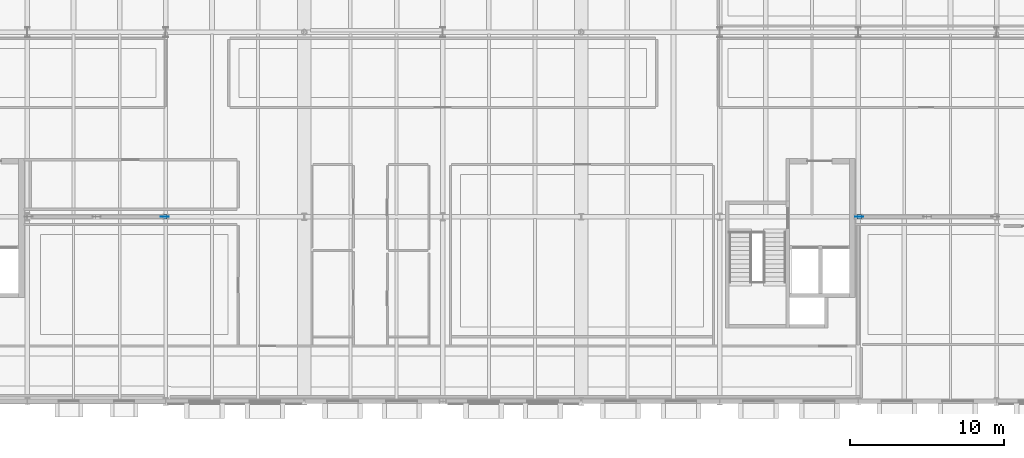
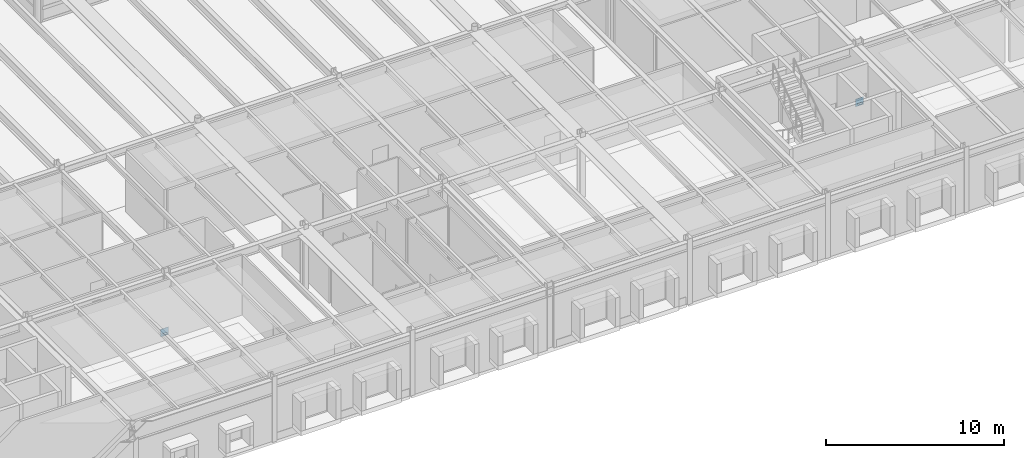
# One storey, part 104 of 127: 4 plates.
"""IFC4 building model written with IfcOpenShell, lengths in metres."""

import ifcopenshell
import ifcopenshell.guid

model = None  # the IFC model being written
_history = None  # IfcOwnerHistory: only IFC2X3 demands one
_inside = {}  # id of a spatial element -> (the spatial element, [elements in it])
_under = {}  # id of a project, library or spatial element -> (it, [spatial elements below it])
_declared = {}  # id of a project -> (the project, [libraries it declares])
_typed = {}  # id of a type object -> (the type object, [elements of that type])
_made_of = {}  # id of a material, layer set ... -> (it, [elements and type objects made of it])


def new_model(schema):
    """Start an empty IFC model of exactly this schema.

    Asked for "IFC4X3", IfcOpenShell would pick the latest addendum, in which some entities
    have other attributes; the version numbers below select the first issue.
    IFC2X3 requires an IfcOwnerHistory on every rooted entity: one is made here for all.
    """
    global model, _history
    if schema == "IFC4X3":
        model = ifcopenshell.file(schema_version=(4, 3, 0, 0))
    else:
        model = ifcopenshell.file(schema=schema)
    _inside.clear()
    _under.clear()
    _declared.clear()
    _typed.clear()
    _made_of.clear()
    _history = None
    if model.schema == "IFC2X3":
        org = make("IfcOrganization", Name="unknown")
        user = make(
            "IfcPersonAndOrganization",
            ThePerson=make("IfcPerson", FamilyName="unknown"),
            TheOrganization=org,
        )
        app = make(
            "IfcApplication",
            ApplicationDeveloper=org,
            Version="unknown",
            ApplicationFullName="unknown",
            ApplicationIdentifier="unknown",
        )
        _history = make(
            "IfcOwnerHistory",
            OwningUser=user,
            OwningApplication=app,
            ChangeAction="ADDED",
            CreationDate=0,
        )
    return model


def make(cls, **values):
    """One entity of the class cls with the attributes given. An attribute that is None is left unset."""
    return model.create_entity(
        cls, **{name: value for name, value in values.items() if value is not None}
    )


def rooted(cls, **values):
    """An entity with a GlobalId (a new one), such as an element, a storey or a relation."""
    return make(cls, GlobalId=ifcopenshell.guid.new(), OwnerHistory=_history, **values)


def si_unit(unit_type, name, prefix=None):
    """IfcSIUnit, for example si_unit("LENGTHUNIT", "METRE", prefix="MILLI")."""
    return make("IfcSIUnit", UnitType=unit_type, Prefix=prefix, Name=name)


def assignment(units):
    """IfcUnitAssignment: the units of a project."""
    return None if units is None else make("IfcUnitAssignment", Units=units)


def point(xyz):
    """IfcCartesianPoint."""
    return None if xyz is None else make("IfcCartesianPoint", Coordinates=xyz)


def direction(xyz):
    """IfcDirection."""
    return None if xyz is None else make("IfcDirection", DirectionRatios=xyz)


def frame(location, z_axis=None, x_axis=None):
    """IfcAxis2Placement3D, a coordinate frame: its origin and axes. An axis left out is left unset."""
    return make(
        "IfcAxis2Placement3D",
        Location=point(location),
        Axis=direction(z_axis),
        RefDirection=direction(x_axis),
    )


def frame_2d(location, x_axis=None):
    """IfcAxis2Placement2D, a coordinate frame in the plane: its origin and x axis."""
    return make(
        "IfcAxis2Placement2D", Location=point(location), RefDirection=direction(x_axis)
    )


def origin():
    """The frame at (0, 0, 0) with its axes left unset."""
    return frame((0.0, 0.0, 0.0))


def origin_2d():
    """The frame at (0, 0) in the plane with its x axis left unset."""
    return frame_2d((0.0, 0.0))


def place(relative_to, where):
    """IfcLocalPlacement: puts the frame where relative to a parent placement (None: the world)."""
    return make(
        "IfcLocalPlacement", PlacementRelTo=relative_to, RelativePlacement=where
    )


def context(
    kind, dimensions, precision=None, world=None, true_north=None, identifier=None
):
    """IfcGeometricRepresentationContext, for example the 3D "Model" context."""
    return make(
        "IfcGeometricRepresentationContext",
        ContextIdentifier=identifier,
        ContextType=kind,
        CoordinateSpaceDimension=dimensions,
        Precision=precision,
        WorldCoordinateSystem=world,
        TrueNorth=true_north,
    )


def subcontext(parent, identifier, kind, view, scale=None):
    """IfcGeometricRepresentationSubContext, for example "Body" below "Model"."""
    return make(
        "IfcGeometricRepresentationSubContext",
        ContextIdentifier=identifier,
        ContextType=kind,
        ParentContext=parent,
        TargetScale=scale,
        TargetView=view,
    )


def project(units=None, contexts=None):
    """IfcProject with its units and contexts."""
    return rooted(
        "IfcProject",
        Name="project",
        RepresentationContexts=contexts,
        UnitsInContext=assignment(units),
    )


def spatial(cls, under=None, at=None, **own):
    """A site, building, storey or space (cls), placed at a placement, below another one or the project."""
    s = rooted(cls, ObjectPlacement=at, **own)
    if under is not None:
        _under.setdefault(under.id(), (under, []))[1].append(s)
    return s


def profile(cls, at=None, kind="AREA", **sizes):
    """A parametric profile (cls). Its sizes go by their IFC names, for example OverallWidth=200.0."""
    return make(cls, ProfileType=kind, Position=at, **sizes)


def rectangle(**sizes):
    """IfcRectangleProfileDef."""
    return profile("IfcRectangleProfileDef", **sizes)


def extrude(swept, where, along, depth):
    """IfcExtrudedAreaSolid: the profile swept, set in the frame where, extruded along a direction by depth."""
    return make(
        "IfcExtrudedAreaSolid",
        SweptArea=swept,
        Position=where,
        ExtrudedDirection=direction(along),
        Depth=depth,
    )


def shape(context_of_items, identifier, shape_type, items):
    """IfcShapeRepresentation: the items that make up one representation, for example the "Body"."""
    return make(
        "IfcShapeRepresentation",
        ContextOfItems=context_of_items,
        RepresentationIdentifier=identifier,
        RepresentationType=shape_type,
        Items=items,
    )


def material(Name=None, Category=None):
    """IfcMaterial."""
    return make("IfcMaterial", Name=Name, Category=Category)


def layer(
    of_material, thickness, ventilated=None, Name=None, Category=None, Priority=None
):
    """IfcMaterialLayer: one layer of a wall or slab, of a material (None: an air gap)."""
    return make(
        "IfcMaterialLayer",
        Material=of_material,
        LayerThickness=thickness,
        IsVentilated=ventilated,
        Name=Name,
        Category=Category,
        Priority=Priority,
    )


def layer_set(layers, Name=None):
    """IfcMaterialLayerSet."""
    return make("IfcMaterialLayerSet", MaterialLayers=layers, LayerSetName=Name)


def made_of(thing, what):
    """Note that an element or type object is made of a material, layer set ...; save() writes the relation."""
    if what is not None:
        _made_of.setdefault(what.id(), (what, []))[1].append(thing)
    return thing


def type_object(cls, material=None, **own):
    """A type object (cls), such as IfcWallType, which elements share."""
    return made_of(rooted(cls, **own), material)


def element(
    cls,
    number,
    at=None,
    inside=None,
    cuts=None,
    type_object=None,
    material=None,
    context=None,
    identifier="Body",
    shape_type=None,
    held_by="IfcProductDefinitionShape",
    body=None,
    shapes=None,
    **own,
):
    """One element of the class cls, such as IfcWall. Its Tag is "e" and its number.

    at: its placement. inside: the storey or other place that contains it. cuts: it is an
    opening in that element (IfcRelVoidsElement). A single representation is given by context,
    identifier, shape_type and body (its items); several are given by shapes. held_by: the class
    of the entity that holds the representations. save() writes the other relations.
    """
    e = rooted(cls, Tag="e%d" % number, ObjectPlacement=at, **own)
    if body is not None:
        shapes = [shape(context, identifier, shape_type, body)]
    if shapes is not None:
        e.Representation = make(held_by, Representations=shapes)
    if inside is not None:
        _inside.setdefault(inside.id(), (inside, []))[1].append(e)
    if cuts is not None:
        rooted(
            "IfcRelVoidsElement", RelatingBuildingElement=cuts, RelatedOpeningElement=e
        )
    if type_object is not None:
        _typed.setdefault(type_object.id(), (type_object, []))[1].append(e)
    return made_of(e, material)


def aggregate(whole, parts):
    """IfcRelAggregates: a whole, such as a stair, and the parts it consists of."""
    return rooted("IfcRelAggregates", RelatingObject=whole, RelatedObjects=parts)


def save(model, path):
    """Write the relations noted so far, then the file.

    IfcRelAggregates (storeys below a building ...), IfcRelContainedInSpatialStructure (elements
    in a storey), IfcRelDefinesByType, IfcRelAssociatesMaterial and IfcRelDeclares: one each for
    every whole, place, type object, material and project.
    """
    for whole, parts in _under.values():
        aggregate(whole, parts)
    for where, things in _inside.values():
        rooted(
            "IfcRelContainedInSpatialStructure",
            RelatedElements=things,
            RelatingStructure=where,
        )
    for kind, things in _typed.values():
        rooted("IfcRelDefinesByType", RelatedObjects=things, RelatingType=kind)
    for what, things in _made_of.values():
        rooted("IfcRelAssociatesMaterial", RelatedObjects=things, RelatingMaterial=what)
    for by, libraries in _declared.values():
        rooted("IfcRelDeclares", RelatingContext=by, RelatedDefinitions=libraries)
    model.write(path)


model = new_model("IFC4")

# Units and contexts
model_context = context("Model", 3, precision=1e-05, world=origin(), true_north=direction((0.0, 1.0)))
body_context = subcontext(model_context, "Body", "Model", "MODEL_VIEW")
ifc_project = project(units=[si_unit("LENGTHUNIT", "METRE"), si_unit("AREAUNIT", "SQUARE_METRE"), si_unit("VOLUMEUNIT", "CUBIC_METRE"), si_unit("PLANEANGLEUNIT", "RADIAN"), si_unit("MASSUNIT", "GRAM", prefix="KILO")], contexts=[model_context])

# Site, building, storey
site_placement = place(None, origin())
site = spatial("IfcSite", under=ifc_project, at=site_placement, CompositionType="ELEMENT")
building_placement = place(site_placement, origin())
building = spatial("IfcBuilding", under=site, at=building_placement, Name="Montelvaro Courts of Justice", CompositionType="ELEMENT")
storey_placement = place(building_placement, frame((0.0, 0.0, 5.39990234375)))
storey = spatial("IfcBuildingStorey", under=building, at=storey_placement, Name="L01", CompositionType="ELEMENT", Elevation=5.39990234375)

# Plates
ifc_material = material(Name="Steel S355", Category="steel")
ifc_layer_1 = layer(ifc_material, 0.011962890625)
ifc_layer_set_1 = layer_set([ifc_layer_1], Name="Steel S355")
plate_type_1 = type_object("IfcPlateType", Name="EndCapPlate_12", PredefinedType="USERDEFINED", material=ifc_layer_set_1)
for number, where, z_axis, x_axis, name in (
    (1, (71.919921875, 12.0, 0.07421875), (0.0, 0.0, 1.0), (1.0, 0.0, 0.0), "Brace End Cap Plate CP-01 CBF1-L01-2A"),
    (2, (117.080078125, 12.0, 0.07421875), (0.0, 0.0, 1.0), (1.0, 0.0, 0.0), "Brace End Cap Plate CP-01 CBF2-L01-1A"),
):
    element("IfcPlate", number, at=place(storey_placement, frame(where, z_axis=z_axis, x_axis=x_axis)), inside=storey, type_object=plate_type_1, Name=name, ObjectType="GUSSET PLATE", PredefinedType="USERDEFINED", context=body_context, shape_type="SweptSolid", body=[
        extrude(rectangle(XDim=0.300048828125, YDim=0.300048828125, at=origin_2d()), origin(), (0.0, 0.0, 1.0), 0.011962890625),
    ])
ifc_layer_2 = layer(ifc_material, 0.02001953125)
ifc_layer_set_2 = layer_set([ifc_layer_2], Name="Steel S355")
plate_type_2 = type_object("IfcPlateType", Name="GussetPlate_20", PredefinedType="USERDEFINED", material=ifc_layer_set_2)
for number, where, z_axis, x_axis, name in (
    (3, (71.919921875, 12.0, -0.099853515625), (0.0, 0.0, 1.0), (1.0, 0.0, 0.0), "Chevron Brace Base Gusset Plate GP-01 CBF1-L01-B2"),
    (4, (117.080078125, 12.0, -0.099853515625), (0.0, 0.0, 1.0), (1.0, 0.0, 0.0), "Chevron Brace Base Gusset Plate GP-01 CBF2-L01-B1"),
):
    element("IfcPlate", number, at=place(storey_placement, frame(where, z_axis=z_axis, x_axis=x_axis)), inside=storey, type_object=plate_type_2, Name=name, ObjectType="GUSSET PLATE", PredefinedType="USERDEFINED", context=body_context, shape_type="SweptSolid", body=[
        extrude(rectangle(XDim=0.52001953125, YDim=0.02001953125, at=origin_2d()), origin(), (0.0, 0.0, 1.0), 0.52001953125),
    ])

save(model, "model.ifc")
